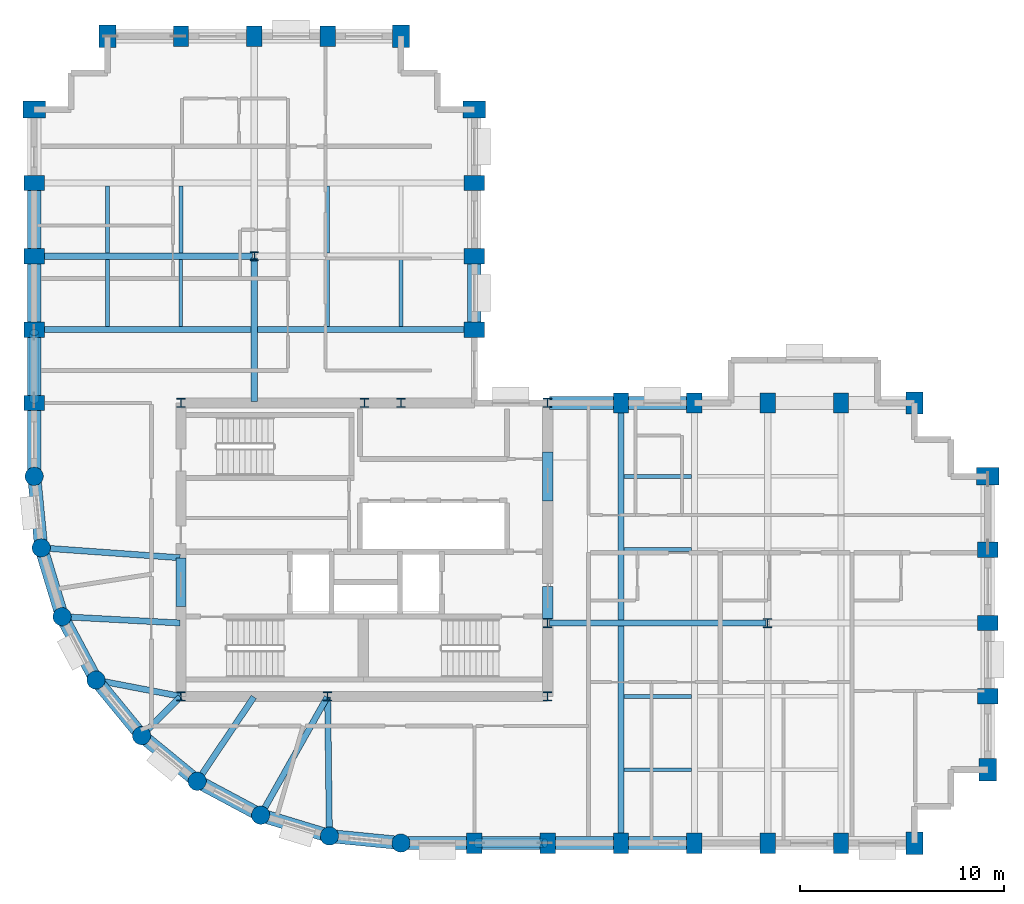
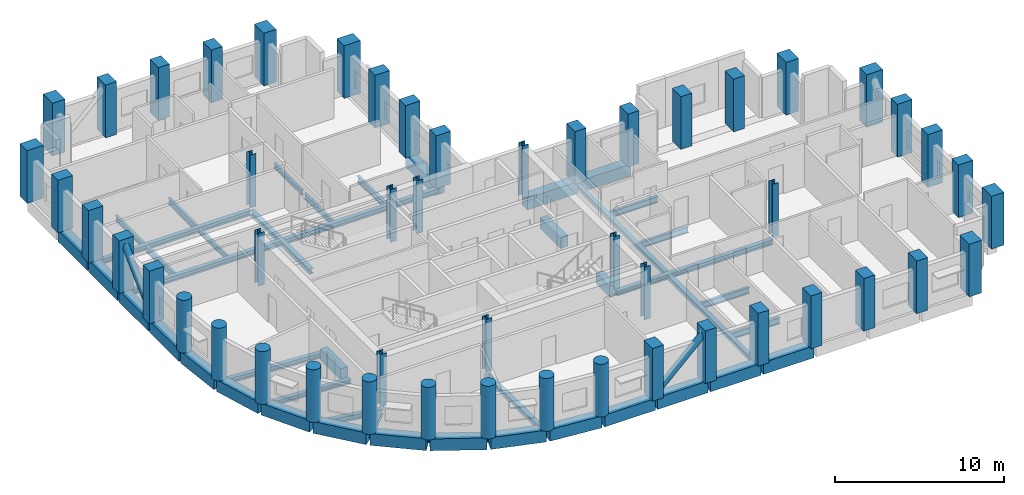
# One storey, part 1 of 9: 50 columns, 45 beams, 2 members.
"""IFC4 building model written with IfcOpenShell, lengths in metres."""

from ifc_helpers import new_model, si_unit, direction, frame, origin, origin_2d, place, context, subcontext, project, spatial, rectangle, circle, hollow_circle, i_section, extrude, material, material_profile, profile_set, type_object, element, save


model = new_model("IFC4")

# Units and contexts
model_context = context("Model", 3, precision=1e-05, world=origin(), true_north=direction((0.0, 1.0)))
body_context = subcontext(model_context, "Body", "Model", "MODEL_VIEW")
ifc_project = project(units=[si_unit("LENGTHUNIT", "METRE"), si_unit("AREAUNIT", "SQUARE_METRE"), si_unit("VOLUMEUNIT", "CUBIC_METRE"), si_unit("PLANEANGLEUNIT", "RADIAN"), si_unit("MASSUNIT", "GRAM", prefix="KILO")], contexts=[model_context])

# Site, building, storey
site_placement = place(None, origin())
site = spatial("IfcSite", under=ifc_project, at=site_placement, CompositionType="ELEMENT")
building_placement = place(site_placement, origin())
building = spatial("IfcBuilding", under=site, at=building_placement, Name="Solnavia Interchange Tower", CompositionType="ELEMENT")
storey_placement = place(building_placement, frame((0.0, 0.0, 142.800048828125)))
storey = spatial("IfcBuildingStorey", under=building, at=storey_placement, Name="L35", CompositionType="ELEMENT", Elevation=142.800048828125)

# Columns
ifc_material_1 = material(Name="Concrete C50/60", Category="concrete")
ifc_material_profile_1 = material_profile(ifc_material_1, rectangle(XDim=0.75, YDim=1.0, at=origin_2d()), Name="RC 1000x750")
ifc_profile_set_1 = profile_set([ifc_material_profile_1], Name="Concrete C50/60")
column_type_1 = type_object("IfcColumnType", Name="Col-RC-1000x750", PredefinedType="COLUMN", material=ifc_profile_set_1)
for number, where, z_axis, x_axis, name in (
    (1, (7.199951171875, 25.199951171875, 0.0), (0.0, 0.0, 1.0), (0.0, 1.0, 0.0), "COL-L35-02 Tower perim y column"),
    (2, (7.199951171875, 28.800048828125, 0.0), (0.0, 0.0, 1.0), (0.0, 1.0, 0.0), "COL-L35-03 Tower perim y column"),
    (3, (7.199951171875, 32.39990234375, 0.0), (0.0, 0.0, 1.0), (0.0, 1.0, 0.0), "COL-L35-04 Tower perim y column"),
    (4, (7.199951171875, 36.0, 0.0), (0.0, 0.0, 1.0), (0.0, 1.0, 0.0), "COL-L35-05 Tower perim y column"),
    (5, (14.39990234375, 43.199951171875, 0.0), (0.0, 0.0, 1.0), (1.0, 0.0, 0.0), "COL-L35-14 Tower perim x column"),
    (6, (18.0, 43.199951171875, 0.0), (0.0, 0.0, 1.0), (1.0, 0.0, 0.0), "COL-L35-17 Tower perim x column"),
    (7, (21.60009765625, 43.199951171875, 0.0), (0.0, 0.0, 1.0), (1.0, 0.0, 0.0), "COL-L35-20 Tower perim x column"),
    (8, (28.800048828125, 3.60009765625, 0.0), (0.0, 0.0, 1.0), (1.0, 0.0, 0.0), "COL-L35-26 Tower perim x column"),
    (9, (28.800048828125, 28.800048828125, 0.0), (0.0, 0.0, 1.0), (0.0, 1.0, 0.0), "COL-L35-27 Tower perim y column"),
    (10, (28.800048828125, 32.39990234375, 0.0), (0.0, 0.0, 1.0), (0.0, 1.0, 0.0), "COL-L35-28 Tower perim y column"),
    (11, (28.800048828125, 36.0, 0.0), (0.0, 0.0, 1.0), (0.0, 1.0, 0.0), "COL-L35-29 Tower perim y column"),
    (12, (32.39990234375, 3.60009765625, 0.0), (0.0, 0.0, 1.0), (1.0, 0.0, 0.0), "COL-L35-31 Tower perim x column"),
    (13, (36.0, 3.60009765625, 0.0), (0.0, 0.0, 1.0), (1.0, 0.0, 0.0), "COL-L35-35 Tower perim x column"),
    (14, (36.0, 25.199951171875, 0.0), (0.0, 0.0, 1.0), (1.0, 0.0, 0.0), "COL-L35-36 Tower perim x column"),
    (15, (39.60009765625, 3.60009765625, 0.0), (0.0, 0.0, 1.0), (1.0, 0.0, 0.0), "COL-L35-37 Tower perim x column"),
    (16, (39.60009765625, 25.199951171875, 0.0), (0.0, 0.0, 1.0), (1.0, 0.0, 0.0), "COL-L35-38 Tower perim x column"),
    (17, (43.199951171875, 3.60009765625, 0.0), (0.0, 0.0, 1.0), (1.0, 0.0, 0.0), "COL-L35-39 Tower perim x column"),
    (18, (43.199951171875, 25.199951171875, 0.0), (0.0, 0.0, 1.0), (1.0, 0.0, 0.0), "COL-L35-41 Tower perim x column"),
    (19, (46.800048828125, 3.60009765625, 0.0), (0.0, 0.0, 1.0), (1.0, 0.0, 0.0), "COL-L35-42 Tower perim x column"),
    (20, (46.800048828125, 25.199951171875, 0.0), (0.0, 0.0, 1.0), (1.0, 0.0, 0.0), "COL-L35-43 Tower perim x column"),
    (21, (54.0, 10.800048828125, 0.0), (0.0, 0.0, 1.0), (0.0, 1.0, 0.0), "COL-L35-47 Tower perim y column"),
    (22, (54.0, 14.39990234375, 0.0), (0.0, 0.0, 1.0), (0.0, 1.0, 0.0), "COL-L35-48 Tower perim y column"),
    (23, (54.0, 18.0, 0.0), (0.0, 0.0, 1.0), (0.0, 1.0, 0.0), "COL-L35-49 Tower perim y column"),
):
    element("IfcColumn", number, at=place(storey_placement, frame(where, z_axis=z_axis, x_axis=x_axis)), inside=storey, type_object=column_type_1, Name=name, PredefinedType="COLUMN", context=body_context, shape_type="SweptSolid", body=[
        extrude(rectangle(XDim=0.75, YDim=1.0, at=origin_2d()), origin(), (0.0, 0.0, 1.0), 3.800048828125),
    ])
ifc_material_profile_2 = material_profile(ifc_material_1, rectangle(XDim=0.85009765625, YDim=1.10009765625, at=origin_2d()), Name="RC 1100x850")
ifc_profile_set_2 = profile_set([ifc_material_profile_2], Name="Concrete C50/60")
column_type_2 = type_object("IfcColumnType", Name="Col-RC-1100x850", PredefinedType="COLUMN", material=ifc_profile_set_2)
for number, where, z_axis, x_axis, name in (
    (24, (7.199951171875, 39.60009765625, 0.0), (0.0, 0.0, 1.0), (0.0, 1.0, 0.0), "COL-L35-06 Tower corner column"),
    (25, (10.800048828125, 43.199951171875, 0.0), (0.0, 0.0, 1.0), (1.0, 0.0, 0.0), "COL-L35-10 Tower corner column"),
    (26, (25.199951171875, 43.199951171875, 0.0), (0.0, 0.0, 1.0), (1.0, 0.0, 0.0), "COL-L35-25 Tower corner column"),
    (27, (28.800048828125, 39.60009765625, 0.0), (0.0, 0.0, 1.0), (0.0, 1.0, 0.0), "COL-L35-30 Tower corner column"),
    (28, (50.39990234375, 3.60009765625, 0.0), (0.0, 0.0, 1.0), (1.0, 0.0, 0.0), "COL-L35-44 Tower corner column"),
    (29, (50.39990234375, 25.199951171875, 0.0), (0.0, 0.0, 1.0), (1.0, 0.0, 0.0), "COL-L35-45 Tower corner column"),
    (30, (54.0, 7.199951171875, 0.0), (0.0, 0.0, 1.0), (1.0, 0.0, 0.0), "COL-L35-46 Tower corner column"),
    (31, (54.0, 21.60009765625, 0.0), (0.0, 0.0, 1.0), (0.0, 1.0, 0.0), "COL-L35-50 Tower corner column"),
):
    element("IfcColumn", number, at=place(storey_placement, frame(where, z_axis=z_axis, x_axis=x_axis)), inside=storey, type_object=column_type_2, Name=name, PredefinedType="COLUMN", context=body_context, shape_type="SweptSolid", body=[
        extrude(rectangle(XDim=0.85009765625, YDim=1.10009765625, at=origin_2d()), origin(), (0.0, 0.0, 1.0), 3.800048828125),
    ])
ifc_material_profile_3 = material_profile(ifc_material_1, circle(Radius=0.449951171875, at=origin_2d()), Name="RC D900")
ifc_profile_set_3 = profile_set([ifc_material_profile_3], Name="Concrete C50/60")
column_type_3 = type_object("IfcColumnType", Name="Col-RC-D900", PredefinedType="COLUMN", material=ifc_profile_set_3)
for number, where, z_axis, x_axis, name in (
    (32, (7.199951171875, 21.60009765625, 0.0), (0.0, 0.0, 1.0), (1.0, 0.0, 0.0), "COL-L35-01 Tower drum column"),
    (33, (7.5458984375, 18.087890625, 0.0), (0.0, 0.0, 1.0), (1.0, 0.0, 0.0), "COL-L35-07 Tower drum column"),
    (34, (8.570068359375, 14.7119140625, 0.0), (0.0, 0.0, 1.0), (1.0, 0.0, 0.0), "COL-L35-08 Tower drum column"),
    (35, (10.23388671875, 11.60009765625, 0.0), (0.0, 0.0, 1.0), (1.0, 0.0, 0.0), "COL-L35-09 Tower drum column"),
    (36, (12.471923828125, 8.8720703125, 0.0), (0.0, 0.0, 1.0), (1.0, 0.0, 0.0), "COL-L35-11 Tower drum column"),
    (37, (15.199951171875, 6.634033203125, 0.0), (0.0, 0.0, 1.0), (1.0, 0.0, 0.0), "COL-L35-15 Tower drum column"),
    (38, (18.31201171875, 4.969970703125, 0.0), (0.0, 0.0, 1.0), (1.0, 0.0, 0.0), "COL-L35-18 Tower drum column"),
    (39, (21.68798828125, 3.946044921875, 0.0), (0.0, 0.0, 1.0), (1.0, 0.0, 0.0), "COL-L35-21 Tower drum column"),
    (40, (25.199951171875, 3.60009765625, 0.0), (0.0, 0.0, 1.0), (1.0, 0.0, 0.0), "COL-L35-23 Tower drum column"),
):
    element("IfcColumn", number, at=place(storey_placement, frame(where, z_axis=z_axis, x_axis=x_axis)), inside=storey, type_object=column_type_3, Name=name, PredefinedType="COLUMN", context=body_context, shape_type="SweptSolid", body=[
        extrude(circle(Radius=0.449951171875, at=origin_2d()), origin(), (0.0, 0.0, 1.0), 3.800048828125),
    ])
ifc_material_2 = material(Name="Steel S355", Category="steel")
ifc_material_profile_4 = material_profile(ifc_material_2, i_section(OverallWidth=0.416015625, OverallDepth=0.44189453125, WebThickness=0.02490234375, FlangeThickness=0.041015625, FilletRadius=0.014892578125, at=origin_2d()), Name="HD 400x382")
ifc_profile_set_4 = profile_set([ifc_material_profile_4], Name="Steel S355")
column_type_4 = type_object("IfcColumnType", Name="Col-Steel-HD400x382", PredefinedType="COLUMN", material=ifc_profile_set_4)
for number, where, z_axis, x_axis, name in (
    (41, (14.39990234375, 10.800048828125, 0.0), (0.0, 0.0, 1.0), (1.0, 0.0, 0.0), "COL-L35-12 Tower interior column"),
    (42, (14.39990234375, 25.199951171875, 0.0), (0.0, 0.0, 1.0), (1.0, 0.0, 0.0), "COL-L35-13 Tower interior column"),
    (43, (18.0, 32.39990234375, 0.0), (0.0, 0.0, 1.0), (1.0, 0.0, 0.0), "COL-L35-16 Tower interior column"),
    (44, (21.60009765625, 10.800048828125, 0.0), (0.0, 0.0, 1.0), (1.0, 0.0, 0.0), "COL-L35-19 Tower interior column"),
    (45, (23.39990234375, 25.199951171875, 0.0), (0.0, 0.0, 1.0), (1.0, 0.0, 0.0), "COL-L35-22 Tower interior column"),
    (46, (25.199951171875, 25.199951171875, 0.0), (0.0, 0.0, 1.0), (1.0, 0.0, 0.0), "COL-L35-24 Tower interior column"),
    (47, (32.39990234375, 10.800048828125, 0.0), (0.0, 0.0, 1.0), (1.0, 0.0, 0.0), "COL-L35-32 Tower interior column"),
    (48, (32.39990234375, 14.39990234375, 0.0), (0.0, 0.0, 1.0), (1.0, 0.0, 0.0), "COL-L35-33 Tower interior column"),
    (49, (32.39990234375, 25.199951171875, 0.0), (0.0, 0.0, 1.0), (1.0, 0.0, 0.0), "COL-L35-34 Tower interior column"),
    (50, (43.199951171875, 14.39990234375, 0.0), (0.0, 0.0, 1.0), (1.0, 0.0, 0.0), "COL-L35-40 Tower interior column"),
):
    element("IfcColumn", number, at=place(storey_placement, frame(where, z_axis=z_axis, x_axis=x_axis)), inside=storey, type_object=column_type_4, Name=name, PredefinedType="COLUMN", context=body_context, shape_type="SweptSolid", body=[
        extrude(i_section(OverallWidth=0.416015625, OverallDepth=0.44189453125, WebThickness=0.02490234375, FlangeThickness=0.041015625, FilletRadius=0.014892578125, at=origin_2d()), origin(), (0.0, 0.0, 1.0), 3.800048828125),
    ])

# Beams
ifc_material_profile_5 = material_profile(ifc_material_1, rectangle(XDim=0.5, YDim=0.800048828125, at=origin_2d()), Name="RC 500x800")
ifc_profile_set_5 = profile_set([ifc_material_profile_5], Name="Concrete C50/60")
beam_type_1 = type_object("IfcBeamType", Name="Beam-Coupling-RC500x800", PredefinedType="LINTEL", material=ifc_profile_set_5)
beam_1_placement = place(storey_placement, frame((14.39990234375, 15.199951171875, -0.400146484375), z_axis=(0.0, 1.0, 0.0), x_axis=(-1.0, 0.0, 0.0)))
element("IfcBeam", 51, at=beam_1_placement, inside=storey, type_object=beam_type_1, Name="CPB-L35-W1 Core coupling lintel beam", PredefinedType="LINTEL", context=body_context, shape_type="SweptSolid", body=[
    extrude(rectangle(XDim=0.5, YDim=0.800048828125, at=origin_2d()), origin(), (0.0, 0.0, 1.0), 2.400146484375),
])
beam_2_placement = place(storey_placement, frame((32.39990234375, 14.60009765625, -0.400146484375), z_axis=(0.0, 1.0, 0.0), x_axis=(-1.0, 0.0, 0.0)))
element("IfcBeam", 52, at=beam_2_placement, inside=storey, type_object=beam_type_1, Name="CPB-L35-E1 Core coupling lintel beam", PredefinedType="LINTEL", context=body_context, shape_type="SweptSolid", body=[
    extrude(rectangle(XDim=0.5, YDim=0.800048828125, at=origin_2d()), origin(), (0.0, 0.0, 1.0), 1.599853515625),
])
beam_3_placement = place(storey_placement, frame((32.39990234375, 20.39990234375, -0.400146484375), z_axis=(0.0, 1.0, 0.0), x_axis=(-1.0, 0.0, 0.0)))
element("IfcBeam", 53, at=beam_3_placement, inside=storey, type_object=beam_type_1, Name="CPB-L35-E2 Core coupling lintel beam", PredefinedType="LINTEL", context=body_context, shape_type="SweptSolid", body=[
    extrude(rectangle(XDim=0.5, YDim=0.800048828125, at=origin_2d()), origin(), (0.0, 0.0, 1.0), 2.400146484375),
])
ifc_material_3 = material(Name="Steel S460", Category="steel")
ifc_material_profile_6 = material_profile(ifc_material_3, i_section(OverallWidth=0.300048828125, OverallDepth=0.360107421875, WebThickness=0.012451171875, FlangeThickness=0.0224609375, FilletRadius=0.027099609375, at=origin_2d()), Name="HEB 360")
ifc_profile_set_6 = profile_set([ifc_material_profile_6], Name="Steel S460")
beam_type_2 = type_object("IfcBeamType", Name="Beam-Girder-HEB360", PredefinedType="BEAM", material=ifc_profile_set_6)
beam_4_placement = place(storey_placement, frame((32.47998046875, 14.39990234375, -0.429931640625), z_axis=(1.0, 0.0, 0.0), x_axis=(0.0, 1.0, 0.0)))
element("IfcBeam", 54, at=beam_4_placement, inside=storey, type_object=beam_type_2, Name="GRD-L35-ES01 East wing spine girder", PredefinedType="BEAM", context=body_context, shape_type="SweptSolid", body=[
    extrude(i_section(OverallWidth=0.300048828125, OverallDepth=0.360107421875, WebThickness=0.012451171875, FlangeThickness=0.0224609375, FilletRadius=0.027099609375, at=origin_2d()), origin(), (0.0, 0.0, 1.0), 10.64013671875),
])
beam_5_placement = place(storey_placement, frame((18.0, 25.280029296875, -0.429931640625), z_axis=(0.0, 1.0, 0.0), x_axis=(-1.0, 0.0, 0.0)))
element("IfcBeam", 55, at=beam_5_placement, inside=storey, type_object=beam_type_2, Name="GRD-L35-NS08 North wing spine girder", PredefinedType="BEAM", context=body_context, shape_type="SweptSolid", body=[
    extrude(i_section(OverallWidth=0.300048828125, OverallDepth=0.360107421875, WebThickness=0.012451171875, FlangeThickness=0.0224609375, FilletRadius=0.027099609375, at=origin_2d()), origin(), (0.0, 0.0, 1.0), 7.0400390625),
])
beam_6_placement = place(storey_placement, frame((7.280029296875, 28.800048828125, -0.429931640625), z_axis=(1.0, 0.0, 0.0), x_axis=(0.0, 1.0, 0.0)))
element("IfcBeam", 56, at=beam_6_placement, inside=storey, type_object=beam_type_2, Name="GRD-L35-NW10 North wing primary floor girder", PredefinedType="BEAM", context=body_context, shape_type="SweptSolid", body=[
    extrude(i_section(OverallWidth=0.300048828125, OverallDepth=0.360107421875, WebThickness=0.012451171875, FlangeThickness=0.0224609375, FilletRadius=0.027099609375, at=origin_2d()), origin(), (0.0, 0.0, 1.0), 21.43994140625),
])
beam_7_placement = place(storey_placement, frame((10.3125, 11.5849609375, -0.429931640625), z_axis=(0.982057527796, -0.188581579428, 0.0), x_axis=(0.188581579428, 0.982057527796, 0.0)))
element("IfcBeam", 57, at=beam_7_placement, inside=storey, type_object=beam_type_2, Name="GRD-L35-DR16 Drum radial floor girder", PredefinedType="BEAM", context=body_context, shape_type="SweptSolid", body=[
    extrude(i_section(OverallWidth=0.300048828125, OverallDepth=0.360107421875, WebThickness=0.012451171875, FlangeThickness=0.0224609375, FilletRadius=0.027099609375, at=origin_2d()), origin(), (0.0, 0.0, 1.0), 4.1220703125),
])
beam_8_placement = place(storey_placement, frame((18.351318359375, 5.039794921875, -0.429931640625), z_axis=(0.491243158486, 0.871022479182, 0.0), x_axis=(-0.871022479182, 0.491243158486, 0.0)))
element("IfcBeam", 58, at=beam_8_placement, inside=storey, type_object=beam_type_2, Name="GRD-L35-DR19 Drum radial floor girder", PredefinedType="BEAM", context=body_context, shape_type="SweptSolid", body=[
    extrude(i_section(OverallWidth=0.300048828125, OverallDepth=0.360107421875, WebThickness=0.012451171875, FlangeThickness=0.0224609375, FilletRadius=0.027099609375, at=origin_2d()), origin(), (0.0, 0.0, 1.0), 6.5732421875),
])
ifc_material_profile_7 = material_profile(ifc_material_2, i_section(OverallWidth=0.169921875, OverallDepth=0.360107421875, WebThickness=0.008056640625, FlangeThickness=0.0126953125, FilletRadius=0.01806640625, at=origin_2d()), Name="IPE 360")
ifc_profile_set_7 = profile_set([ifc_material_profile_7], Name="Steel S355")
beam_type_3 = type_object("IfcBeamType", Name="Beam-Joist-IPE360", PredefinedType="JOIST", material=ifc_profile_set_7)
for number, where, z_axis, x_axis, name in (
    (59, (14.39990234375, 28.949951171875, -0.429931640625), (0.0, 1.0, 0.0), (-1.0, 0.0, 0.0), "JST-L35-N15 North wing secondary joist"),
    (60, (21.60009765625, 32.550048828125, -0.429931640625), (0.0, 1.0, 0.0), (-1.0, 0.0, 0.0), "JST-L35-N18 North wing secondary joist"),
):
    element("IfcBeam", number, at=place(storey_placement, frame(where, z_axis=z_axis, x_axis=x_axis)), inside=storey, type_object=beam_type_3, Name=name, PredefinedType="JOIST", context=body_context, shape_type="SweptSolid", body=[
        extrude(i_section(OverallWidth=0.169921875, OverallDepth=0.360107421875, WebThickness=0.008056640625, FlangeThickness=0.0126953125, FilletRadius=0.01806640625, at=origin_2d()), origin(), (0.0, 0.0, 1.0), 3.300048828125),
    ])
ifc_material_profile_8 = material_profile(ifc_material_2, i_section(OverallWidth=0.179931640625, OverallDepth=0.39990234375, WebThickness=0.008544921875, FlangeThickness=0.013427734375, FilletRadius=0.02099609375, at=origin_2d()), Name="IPE 400")
ifc_profile_set_8 = profile_set([ifc_material_profile_8], Name="Steel S355")
beam_type_4 = type_object("IfcBeamType", Name="Beam-Joist-IPE400", PredefinedType="JOIST", material=ifc_profile_set_8)
for number, where, z_axis, x_axis, name in (
    (61, (10.800048828125, 32.550048828125, -0.449951171875), (0.0, 1.0, 0.0), (-1.0, 0.0, 0.0), "JST-L35-N14 North wing secondary joist"),
    (62, (21.60009765625, 28.949951171875, -0.449951171875), (0.0, 1.0, 0.0), (-1.0, 0.0, 0.0), "JST-L35-N17 North wing secondary joist"),
):
    element("IfcBeam", number, at=place(storey_placement, frame(where, z_axis=z_axis, x_axis=x_axis)), inside=storey, type_object=beam_type_4, Name=name, PredefinedType="JOIST", context=body_context, shape_type="SweptSolid", body=[
        extrude(i_section(OverallWidth=0.179931640625, OverallDepth=0.39990234375, WebThickness=0.008544921875, FlangeThickness=0.013427734375, FilletRadius=0.02099609375, at=origin_2d()), origin(), (0.0, 0.0, 1.0), 3.300048828125),
    ])
ifc_material_profile_9 = material_profile(ifc_material_2, i_section(OverallWidth=0.18994140625, OverallDepth=0.449951171875, WebThickness=0.009521484375, FlangeThickness=0.0146484375, FilletRadius=0.02099609375, at=origin_2d()), Name="IPE 450")
ifc_profile_set_9 = profile_set([ifc_material_profile_9], Name="Steel S355")
beam_type_5 = type_object("IfcBeamType", Name="Beam-Joist-IPE450", PredefinedType="JOIST", material=ifc_profile_set_9)
for number, where, z_axis, x_axis, name in (
    (63, (36.14990234375, 7.199951171875, -0.47509765625), (1.0, 0.0, 0.0), (0.0, 1.0, 0.0), "JST-L35-E01 East wing secondary joist"),
    (64, (36.14990234375, 10.800048828125, -0.47509765625), (1.0, 0.0, 0.0), (0.0, 1.0, 0.0), "JST-L35-E04 East wing secondary joist"),
    (65, (36.14990234375, 18.0, -0.47509765625), (1.0, 0.0, 0.0), (0.0, 1.0, 0.0), "JST-L35-E07 East wing secondary joist"),
    (66, (36.14990234375, 21.60009765625, -0.47509765625), (1.0, 0.0, 0.0), (0.0, 1.0, 0.0), "JST-L35-E10 East wing secondary joist"),
    (67, (10.800048828125, 28.949951171875, -0.47509765625), (0.0, 1.0, 0.0), (-1.0, 0.0, 0.0), "JST-L35-N13 North wing secondary joist"),
    (68, (14.39990234375, 32.550048828125, -0.47509765625), (0.0, 1.0, 0.0), (-1.0, 0.0, 0.0), "JST-L35-N16 North wing secondary joist"),
    (69, (25.199951171875, 28.949951171875, -0.47509765625), (0.0, 1.0, 0.0), (-1.0, 0.0, 0.0), "JST-L35-N19 North wing secondary joist"),
):
    element("IfcBeam", number, at=place(storey_placement, frame(where, z_axis=z_axis, x_axis=x_axis)), inside=storey, type_object=beam_type_5, Name=name, PredefinedType="JOIST", context=body_context, shape_type="SweptSolid", body=[
        extrude(i_section(OverallWidth=0.18994140625, OverallDepth=0.449951171875, WebThickness=0.009521484375, FlangeThickness=0.0146484375, FilletRadius=0.02099609375, at=origin_2d()), origin(), (0.0, 0.0, 1.0), 3.300048828125),
    ])
ifc_material_profile_10 = material_profile(ifc_material_2, i_section(OverallWidth=0.300048828125, OverallDepth=0.31005859375, WebThickness=0.009033203125, FlangeThickness=0.015380859375, FilletRadius=0.027099609375, at=origin_2d()), Name="HEA 320")
ifc_profile_set_10 = profile_set([ifc_material_profile_10], Name="Steel S355")
beam_type_6 = type_object("IfcBeamType", Name="Beam-Primary-HEA320", PredefinedType="BEAM", material=ifc_profile_set_10)
beam_9_placement = place(storey_placement, frame((36.0, 3.679931640625, -0.405029296875), z_axis=(0.0, 1.0, 0.0), x_axis=(-1.0, 0.0, 0.0)))
element("IfcBeam", 70, at=beam_9_placement, inside=storey, type_object=beam_type_6, Name="GRD-L35-EW03 East wing primary floor girder", PredefinedType="BEAM", context=body_context, shape_type="SweptSolid", body=[
    extrude(i_section(OverallWidth=0.300048828125, OverallDepth=0.31005859375, WebThickness=0.009033203125, FlangeThickness=0.015380859375, FilletRadius=0.027099609375, at=origin_2d()), origin(), (0.0, 0.0, 1.0), 21.440185546875),
])
beam_10_placement = place(storey_placement, frame((8.64990234375, 14.707763671875, -0.405029296875), z_axis=(0.998570371303, -0.053452909696, 0.0), x_axis=(0.053452909696, 0.998570371303, 0.0)))
element("IfcBeam", 71, at=beam_10_placement, inside=storey, type_object=beam_type_6, Name="GRD-L35-DR15 Drum radial floor girder", PredefinedType="BEAM", context=body_context, shape_type="SweptSolid", body=[
    extrude(i_section(OverallWidth=0.300048828125, OverallDepth=0.31005859375, WebThickness=0.009033203125, FlangeThickness=0.015380859375, FilletRadius=0.027099609375, at=origin_2d()), origin(), (0.0, 0.0, 1.0), 5.71826171875),
])
beam_11_placement = place(storey_placement, frame((15.24462890625, 6.700439453125, -0.405029296875), z_axis=(0.557835474219, 0.829951555033, 0.0), x_axis=(-0.829951555033, 0.557835474219, 0.0)))
element("IfcBeam", 72, at=beam_11_placement, inside=storey, type_object=beam_type_6, Name="GRD-L35-DR18 Drum radial floor girder", PredefinedType="BEAM", context=body_context, shape_type="SweptSolid", body=[
    extrude(i_section(OverallWidth=0.300048828125, OverallDepth=0.31005859375, WebThickness=0.009033203125, FlangeThickness=0.015380859375, FilletRadius=0.027099609375, at=origin_2d()), origin(), (0.0, 0.0, 1.0), 4.899658203125),
])
ifc_material_profile_11 = material_profile(ifc_material_2, i_section(OverallWidth=0.300048828125, OverallDepth=0.35009765625, WebThickness=0.010009765625, FlangeThickness=0.017578125, FilletRadius=0.027099609375, at=origin_2d()), Name="HEA 360")
ifc_profile_set_11 = profile_set([ifc_material_profile_11], Name="Steel S355")
beam_type_7 = type_object("IfcBeamType", Name="Beam-Primary-HEA360", PredefinedType="BEAM", material=ifc_profile_set_11)
beam_12_placement = place(storey_placement, frame((7.280029296875, 32.39990234375, -0.425048828125), z_axis=(1.0, 0.0, 0.0), x_axis=(0.0, 1.0, 0.0)))
element("IfcBeam", 73, at=beam_12_placement, inside=storey, type_object=beam_type_7, Name="GRD-L35-NW11 North wing primary floor girder", PredefinedType="BEAM", context=body_context, shape_type="SweptSolid", body=[
    extrude(i_section(OverallWidth=0.300048828125, OverallDepth=0.35009765625, WebThickness=0.010009765625, FlangeThickness=0.017578125, FilletRadius=0.027099609375, at=origin_2d()), origin(), (0.0, 0.0, 1.0), 10.639892578125),
])
beam_13_placement = place(storey_placement, frame((7.625732421875, 18.082275390625, -0.425048828125), z_axis=(0.99747482749, -0.071020902015, 0.0), x_axis=(0.071020902015, 0.99747482749, 0.0)))
element("IfcBeam", 74, at=beam_13_placement, inside=storey, type_object=beam_type_7, Name="GRD-L35-DR14 Drum radial floor girder", PredefinedType="BEAM", context=body_context, shape_type="SweptSolid", body=[
    extrude(i_section(OverallWidth=0.300048828125, OverallDepth=0.35009765625, WebThickness=0.010009765625, FlangeThickness=0.017578125, FilletRadius=0.027099609375, at=origin_2d()), origin(), (0.0, 0.0, 1.0), 6.75146484375),
])
beam_14_placement = place(storey_placement, frame((12.528564453125, 8.9287109375, -0.425048828125), z_axis=(0.707106781187, 0.707106781187, 0.0), x_axis=(-0.707106781187, 0.707106781187, 0.0)))
element("IfcBeam", 75, at=beam_14_placement, inside=storey, type_object=beam_type_7, Name="GRD-L35-DR17 Drum radial floor girder", PredefinedType="BEAM", context=body_context, shape_type="SweptSolid", body=[
    extrude(i_section(OverallWidth=0.300048828125, OverallDepth=0.35009765625, WebThickness=0.010009765625, FlangeThickness=0.017578125, FilletRadius=0.027099609375, at=origin_2d()), origin(), (0.0, 0.0, 1.0), 2.6064453125),
])
beam_15_placement = place(storey_placement, frame((21.68701171875, 4.02587890625, -0.425048828125), z_axis=(-0.01283293513, 0.999917654498, 0.0), x_axis=(-0.999917654498, -0.01283293513, 0.0)))
element("IfcBeam", 76, at=beam_15_placement, inside=storey, type_object=beam_type_7, Name="GRD-L35-DR20 Drum radial floor girder", PredefinedType="BEAM", context=body_context, shape_type="SweptSolid", body=[
    extrude(i_section(OverallWidth=0.300048828125, OverallDepth=0.35009765625, WebThickness=0.010009765625, FlangeThickness=0.017578125, FilletRadius=0.027099609375, at=origin_2d()), origin(), (0.0, 0.0, 1.0), 6.734619140625),
])
ifc_material_profile_12 = material_profile(ifc_material_1, rectangle(XDim=0.64990234375, YDim=0.85009765625, at=origin_2d()), Name="RC 650x850")
ifc_profile_set_12 = profile_set([ifc_material_profile_12], Name="Concrete C50/60")
beam_type_8 = type_object("IfcBeamType", Name="Beam-Spandrel-RC650x850", PredefinedType="SPANDREL", material=ifc_profile_set_12)
beam_16_placement = place(storey_placement, frame((7.207763671875, 21.5205078125, -0.425048828125), z_axis=(0.098040038117, -0.995182471171, 0.0), x_axis=(0.995182471171, 0.098040038117, 0.0)))
element("IfcBeam", 77, at=beam_16_placement, inside=storey, type_object=beam_type_8, Name="SPB-L35-01 Framed-tube perimeter spandrel beam", PredefinedType="SPANDREL", context=body_context, shape_type="SweptSolid", body=[
    extrude(rectangle(XDim=0.64990234375, YDim=0.85009765625, at=origin_2d()), origin(), (0.0, 0.0, 1.0), 3.369140625),
])
beam_17_placement = place(storey_placement, frame((7.569091796875, 18.011474609375, -0.425048828125), z_axis=(0.290319223646, -0.956929855518, 0.0), x_axis=(0.956929855518, 0.290319223646, 0.0)))
element("IfcBeam", 78, at=beam_17_placement, inside=storey, type_object=beam_type_8, Name="SPB-L35-02 Framed-tube perimeter spandrel beam", PredefinedType="SPANDREL", context=body_context, shape_type="SweptSolid", body=[
    extrude(rectangle(XDim=0.64990234375, YDim=0.85009765625, at=origin_2d()), origin(), (0.0, 0.0, 1.0), 3.367919921875),
])
beam_18_placement = place(storey_placement, frame((8.607666015625, 14.6416015625, -0.425048828125), z_axis=(0.471509422952, -0.881861023102, 0.0), x_axis=(0.881861023102, 0.471509422952, 0.0)))
element("IfcBeam", 79, at=beam_18_placement, inside=storey, type_object=beam_type_8, Name="SPB-L35-03 Framed-tube perimeter spandrel beam", PredefinedType="SPANDREL", context=body_context, shape_type="SweptSolid", body=[
    extrude(rectangle(XDim=0.64990234375, YDim=0.85009765625, at=origin_2d()), origin(), (0.0, 0.0, 1.0), 3.369140625),
])
for number, where, z_axis, x_axis, name in (
    (80, (10.28466796875, 11.5380859375, -0.425048828125), (0.634298841675, -0.773087950656, 0.0), (0.773087950656, 0.634298841675, 0.0), "SPB-L35-04 Framed-tube perimeter spandrel beam"),
    (81, (12.53369140625, 8.8212890625, -0.425048828125), (0.773152644452, -0.634219984214, 0.0), (0.634219984214, 0.773152644452, 0.0), "SPB-L35-05 Framed-tube perimeter spandrel beam"),
):
    element("IfcBeam", number, at=place(storey_placement, frame(where, z_axis=z_axis, x_axis=x_axis)), inside=storey, type_object=beam_type_8, Name=name, PredefinedType="SPANDREL", context=body_context, shape_type="SweptSolid", body=[
        extrude(rectangle(XDim=0.64990234375, YDim=0.85009765625, at=origin_2d()), origin(), (0.0, 0.0, 1.0), 3.36865234375),
    ])
beam_19_placement = place(storey_placement, frame((15.2705078125, 6.59619140625, -0.425048828125), z_axis=(0.881875044348, -0.47148319817, 0.0), x_axis=(0.47148319817, 0.881875044348, 0.0)))
element("IfcBeam", 82, at=beam_19_placement, inside=storey, type_object=beam_type_8, Name="SPB-L35-06 Framed-tube perimeter spandrel beam", PredefinedType="SPANDREL", context=body_context, shape_type="SweptSolid", body=[
    extrude(rectangle(XDim=0.64990234375, YDim=0.85009765625, at=origin_2d()), origin(), (0.0, 0.0, 1.0), 3.368896484375),
])
beam_20_placement = place(storey_placement, frame((18.388671875, 4.94677734375, -0.425048828125), z_axis=(0.956943884494, -0.290272978297, 0.0), x_axis=(0.290272978297, 0.956943884494, 0.0)))
element("IfcBeam", 83, at=beam_20_placement, inside=storey, type_object=beam_type_8, Name="SPB-L35-07 Framed-tube perimeter spandrel beam", PredefinedType="SPANDREL", context=body_context, shape_type="SweptSolid", body=[
    extrude(rectangle(XDim=0.64990234375, YDim=0.85009765625, at=origin_2d()), origin(), (0.0, 0.0, 1.0), 3.36767578125),
])
beam_21_placement = place(storey_placement, frame((21.767578125, 3.938232421875, -0.425048828125), z_axis=(0.995181774609, -0.098047108501, 0.0), x_axis=(0.098047108501, 0.995181774609, 0.0)))
element("IfcBeam", 84, at=beam_21_placement, inside=storey, type_object=beam_type_8, Name="SPB-L35-08 Framed-tube perimeter spandrel beam", PredefinedType="SPANDREL", context=body_context, shape_type="SweptSolid", body=[
    extrude(rectangle(XDim=0.64990234375, YDim=0.85009765625, at=origin_2d()), origin(), (0.0, 0.0, 1.0), 3.368896484375),
])
beam_22_placement = place(storey_placement, frame((25.280029296875, 3.60009765625, -0.425048828125), z_axis=(1.0, 0.0, 0.0), x_axis=(0.0, 1.0, 0.0)))
element("IfcBeam", 85, at=beam_22_placement, inside=storey, type_object=beam_type_8, Name="SPB-L35-09 Framed-tube perimeter spandrel beam", PredefinedType="SPANDREL", context=body_context, shape_type="SweptSolid", body=[
    extrude(rectangle(XDim=0.64990234375, YDim=0.85009765625, at=origin_2d()), origin(), (0.0, 0.0, 1.0), 3.43994140625),
])
beam_23_placement = place(storey_placement, frame((28.8798828125, 3.60009765625, -0.425048828125), z_axis=(1.0, 0.0, 0.0), x_axis=(0.0, 1.0, 0.0)))
element("IfcBeam", 86, at=beam_23_placement, inside=storey, type_object=beam_type_8, Name="SPB-L35-10 Framed-tube perimeter spandrel beam", PredefinedType="SPANDREL", context=body_context, shape_type="SweptSolid", body=[
    extrude(rectangle(XDim=0.64990234375, YDim=0.85009765625, at=origin_2d()), origin(), (0.0, 0.0, 1.0), 3.440185546875),
])
for number, where, z_axis, x_axis, name in (
    (87, (32.47998046875, 3.60009765625, -0.425048828125), (1.0, 0.0, 0.0), (0.0, 1.0, 0.0), "SPB-L35-11 Framed-tube perimeter spandrel beam"),
    (88, (36.080078125, 3.60009765625, -0.425048828125), (1.0, 0.0, 0.0), (0.0, 1.0, 0.0), "SPB-L35-12 Framed-tube perimeter spandrel beam"),
    (89, (39.52001953125, 25.199951171875, -0.425048828125), (-1.0, 0.0, 0.0), (0.0, -1.0, 0.0), "SPB-L35-23 Framed-tube perimeter spandrel beam"),
    (90, (35.919921875, 25.199951171875, -0.425048828125), (-1.0, 0.0, 0.0), (0.0, -1.0, 0.0), "SPB-L35-24 Framed-tube perimeter spandrel beam"),
):
    element("IfcBeam", number, at=place(storey_placement, frame(where, z_axis=z_axis, x_axis=x_axis)), inside=storey, type_object=beam_type_8, Name=name, PredefinedType="SPANDREL", context=body_context, shape_type="SweptSolid", body=[
        extrude(rectangle(XDim=0.64990234375, YDim=0.85009765625, at=origin_2d()), origin(), (0.0, 0.0, 1.0), 3.43994140625),
    ])
beam_24_placement = place(storey_placement, frame((28.800048828125, 28.8798828125, -0.425048828125), z_axis=(0.0, 1.0, 0.0), x_axis=(-1.0, 0.0, 0.0)))
element("IfcBeam", 91, at=beam_24_placement, inside=storey, type_object=beam_type_8, Name="SPB-L35-25 Framed-tube perimeter spandrel beam", PredefinedType="SPANDREL", context=body_context, shape_type="SweptSolid", body=[
    extrude(rectangle(XDim=0.64990234375, YDim=0.85009765625, at=origin_2d()), origin(), (0.0, 0.0, 1.0), 3.440185546875),
])
beam_25_placement = place(storey_placement, frame((7.199951171875, 35.919921875, -0.425048828125), z_axis=(0.0, -1.0, 0.0), x_axis=(1.0, 0.0, 0.0)))
element("IfcBeam", 92, at=beam_25_placement, inside=storey, type_object=beam_type_8, Name="SPB-L35-33 Framed-tube perimeter spandrel beam", PredefinedType="SPANDREL", context=body_context, shape_type="SweptSolid", body=[
    extrude(rectangle(XDim=0.64990234375, YDim=0.85009765625, at=origin_2d()), origin(), (0.0, 0.0, 1.0), 3.43994140625),
])
beam_26_placement = place(storey_placement, frame((7.199951171875, 32.320068359375, -0.425048828125), z_axis=(0.0, -1.0, 0.0), x_axis=(1.0, 0.0, 0.0)))
element("IfcBeam", 93, at=beam_26_placement, inside=storey, type_object=beam_type_8, Name="SPB-L35-34 Framed-tube perimeter spandrel beam", PredefinedType="SPANDREL", context=body_context, shape_type="SweptSolid", body=[
    extrude(rectangle(XDim=0.64990234375, YDim=0.85009765625, at=origin_2d()), origin(), (0.0, 0.0, 1.0), 3.440185546875),
])
beam_27_placement = place(storey_placement, frame((7.199951171875, 28.719970703125, -0.425048828125), z_axis=(0.0, -1.0, 0.0), x_axis=(1.0, 0.0, 0.0)))
element("IfcBeam", 94, at=beam_27_placement, inside=storey, type_object=beam_type_8, Name="SPB-L35-35 Framed-tube perimeter spandrel beam", PredefinedType="SPANDREL", context=body_context, shape_type="SweptSolid", body=[
    extrude(rectangle(XDim=0.64990234375, YDim=0.85009765625, at=origin_2d()), origin(), (0.0, 0.0, 1.0), 3.43994140625),
])
beam_28_placement = place(storey_placement, frame((7.199951171875, 25.1201171875, -0.425048828125), z_axis=(0.0, -1.0, 0.0), x_axis=(1.0, 0.0, 0.0)))
element("IfcBeam", 95, at=beam_28_placement, inside=storey, type_object=beam_type_8, Name="SPB-L35-36 Framed-tube perimeter spandrel beam", PredefinedType="SPANDREL", context=body_context, shape_type="SweptSolid", body=[
    extrude(rectangle(XDim=0.64990234375, YDim=0.85009765625, at=origin_2d()), origin(), (0.0, 0.0, 1.0), 3.440185546875),
])

# Members
ifc_material_profile_13 = material_profile(ifc_material_3, hollow_circle(Radius=0.228515625, WallThickness=0.02001953125, at=origin_2d()), Name="CHS 457x20")
ifc_profile_set_13 = profile_set([ifc_material_profile_13], Name="Steel S460")
member_type = type_object("IfcMemberType", Name="Brace-Perim-CHS457", PredefinedType="BRACE", material=ifc_profile_set_13)
member_1_placement = place(storey_placement, frame((28.93994140625, 3.60009765625, 0.179931640625), z_axis=(0.721096918576, 0.0, 0.692834203847), x_axis=(0.0, 1.0, 0.0)))
element("IfcMember", 96, at=member_1_placement, inside=storey, type_object=member_type, Name="BRC-L35-01 Perimeter tube diagonal brace", PredefinedType="BRACE", context=body_context, shape_type="SweptSolid", body=[
    extrude(hollow_circle(Radius=0.228515625, WallThickness=0.02001953125, at=origin_2d()), origin(), (0.0, 0.0, 1.0), 4.604248046875),
])
member_2_placement = place(storey_placement, frame((7.199951171875, 25.340087890625, 0.179931640625), z_axis=(0.0, 0.721071463745, 0.69286069608), x_axis=(-1.0, 0.0, 0.0)))
element("IfcMember", 97, at=member_2_placement, inside=storey, type_object=member_type, Name="BRC-L35-02 Perimeter tube diagonal brace", PredefinedType="BRACE", context=body_context, shape_type="SweptSolid", body=[
    extrude(hollow_circle(Radius=0.228515625, WallThickness=0.02001953125, at=origin_2d()), origin(), (0.0, 0.0, 1.0), 4.60400390625),
])

save(model, "model.ifc")
